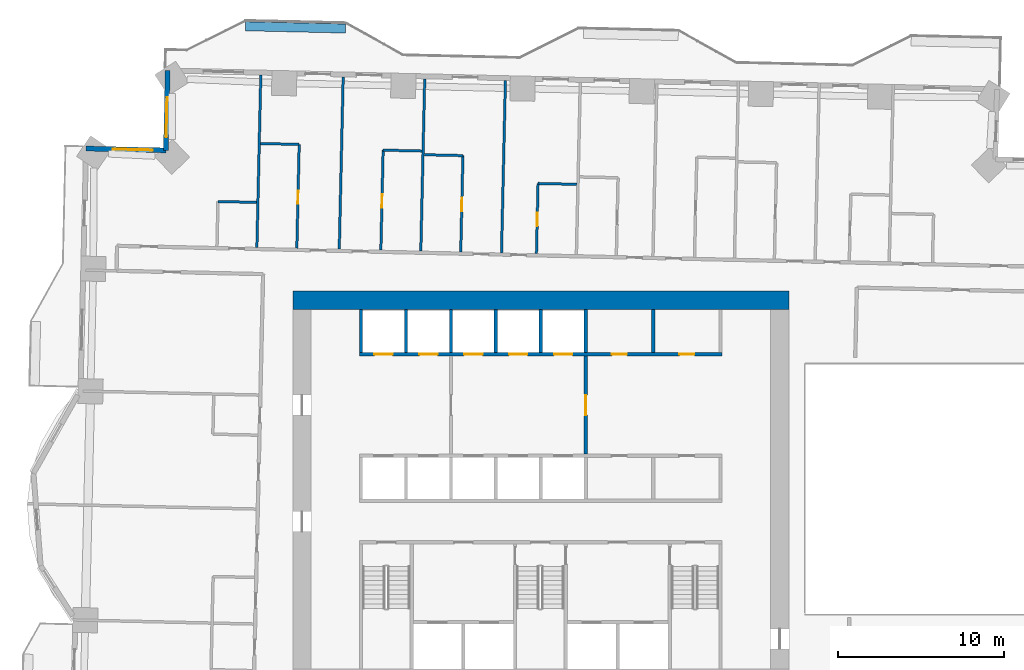
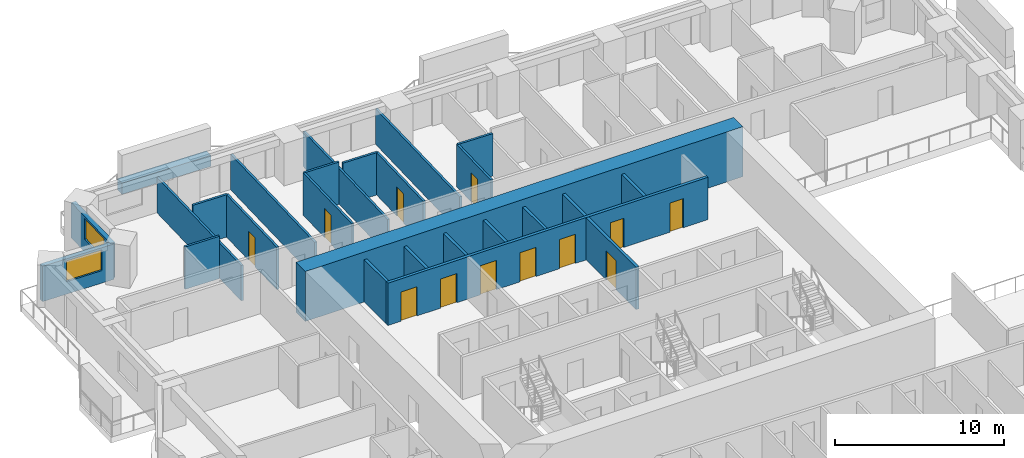
# One storey, part 11 of 18: 26 walls, 12 doors, 2 windows, 14 openings.
"""IFC4 building model written with IfcOpenShell, lengths in metres."""

from ifc_helpers import new_model, si_unit, direction, frame, frame_2d, origin, place, context, subcontext, project, spatial, rectangle, extrude, material, layer, layer_set, type_object, element, fill, save


model = new_model("IFC4")

# Units and contexts
model_context = context("Model", 3, precision=1e-05, world=origin(), true_north=direction((0.0, 1.0)))
body_context = subcontext(model_context, "Body", "Model", "MODEL_VIEW")
ifc_project = project(units=[si_unit("LENGTHUNIT", "METRE"), si_unit("AREAUNIT", "SQUARE_METRE"), si_unit("VOLUMEUNIT", "CUBIC_METRE"), si_unit("PLANEANGLEUNIT", "RADIAN"), si_unit("MASSUNIT", "GRAM", prefix="KILO")], contexts=[model_context])

# Site, building, storey
site_placement = place(None, origin())
site = spatial("IfcSite", under=ifc_project, at=site_placement, CompositionType="ELEMENT")
building_placement = place(site_placement, origin())
building = spatial("IfcBuilding", under=site, at=building_placement, Name="Mangrove Gate Tower", CompositionType="ELEMENT")
storey_placement = place(building_placement, frame((0.0, 0.0, 56.699951171875)))
storey = spatial("IfcBuildingStorey", under=building, at=storey_placement, Name="L13", CompositionType="ELEMENT", Elevation=56.699951171875)

# Wall, opening, door
ifc_material_1 = material(Name="Concrete C32/40", Category="concrete")
ifc_layer_1 = layer(ifc_material_1, 0.199951171875)
ifc_layer_set_1 = layer_set([ifc_layer_1], Name="Core lobby wall 200 C32/40")
wall_type_1 = type_object("IfcWallType", Name="Core lobby wall 200 C32/40", PredefinedType="STANDARD", material=ifc_layer_set_1)
wall_1_placement = place(storey_placement, frame((2.699951171875, 2.10009765625, 0.0), z_axis=(0.0, 0.0, 1.0), x_axis=(0.0, 1.0, 0.0)))
wall_1 = element("IfcWall", 1, at=wall_1_placement, inside=storey, type_object=wall_type_1, Name="WALL-L13-CORE-36", PredefinedType="STANDARD", context=body_context, shape_type="SweptSolid", body=[
    extrude(rectangle(XDim=5.89990234375, YDim=0.199951171875, at=frame_2d((2.949951171875, 0.0))), origin(), (0.0, 0.0, 1.0), 3.050048828125),
])
opening_1_placement = place(wall_1_placement, frame((2.35009765625, 0.0, 0.0)))
opening_1 = element("IfcOpeningElement", 2, at=opening_1_placement, cuts=wall_1, Name="Opening FL12", PredefinedType="OPENING", context=body_context, shape_type="SweptSolid", body=[
    extrude(rectangle(XDim=1.199951171875, YDim=2.10009765625, at=frame_2d((0.60009765625, 1.050048828125))), frame((0.0, 0.10986328125, 0.0), z_axis=(0.0, -1.0, 0.0), x_axis=(1.0, 0.0, 0.0)), (0.0, 0.0, 1.0), 0.219970703125),
])
ifc_material_2 = material(Name="Fire-rated steel door set", Category="steel")
door_type_1 = type_object("IfcDoorType", Name="Lobby door FD60 1200x2100", OperationType="SINGLE_SWING_LEFT", PredefinedType="DOOR", material=ifc_material_2)
door_1_placement = place(opening_1_placement, origin())
door_1 = element("IfcDoor", 3, at=door_1_placement, inside=storey, type_object=door_type_1, Name="Lobby door lift lobby partition", OperationType="SINGLE_SWING_LEFT", OverallHeight=2.10009765625, OverallWidth=1.199951171875, PredefinedType="DOOR", context=body_context, shape_type="SweptSolid", body=[
    extrude(rectangle(XDim=1.199951171875, YDim=2.10009765625, at=frame_2d((0.60009765625, 1.050048828125))), frame((0.0, 0.02490234375, 0.0), z_axis=(0.0, -1.0, 0.0), x_axis=(1.0, 0.0, 0.0)), (0.0, 0.0, 1.0), 0.050048828125),
])
fill(opening_1, door_1)

# Wall
ifc_material_3 = material(Name="Concrete C32/40", Category="concrete")
ifc_layer_2 = layer(ifc_material_3, 0.199951171875)
ifc_layer_set_2 = layer_set([ifc_layer_2], Name="Core room wall 200 C32/40")
wall_type_2 = type_object("IfcWallType", Name="Core room wall 200 C32/40", PredefinedType="STANDARD", material=ifc_layer_set_2)
wall_2_placement = place(storey_placement, frame((6.75, 8.199951171875, 0.0), z_axis=(0.0, 0.0, 1.0), x_axis=(0.0, 1.0, 0.0)))
element("IfcWall", 4, at=wall_2_placement, inside=storey, type_object=wall_type_2, Name="WALL-L13-CORE-33", PredefinedType="STANDARD", context=body_context, shape_type="SweptSolid", body=[
    extrude(rectangle(XDim=2.60009765625, YDim=0.199951171875, at=frame_2d((1.300048828125, 0.0))), origin(), (0.0, 0.0, 1.0), 3.050048828125),
])

# Wall, openings, doors
ifc_material_4 = material(Name="Concrete C70/85", Category="concrete")
ifc_layer_3 = layer(ifc_material_4, 0.199951171875)
ifc_layer_set_3 = layer_set([ifc_layer_3], Name="Core shaft wall 200 C70/85")
wall_type_3 = type_object("IfcWallType", Name="Core shaft wall 200 C70/85", PredefinedType="SHEAR", material=ifc_layer_set_3)
wall_3_placement = place(storey_placement, frame((-10.89990234375, 8.10009765625, 0.0), z_axis=(0.0, 0.0, 1.0), x_axis=(1.0, 0.0, 0.0)))
wall_3 = element("IfcWall", 5, at=wall_3_placement, inside=storey, type_object=wall_type_3, Name="WALL-L13-CORE-8", PredefinedType="SHEAR", context=body_context, shape_type="SweptSolid", body=[
    extrude(rectangle(XDim=21.7998046875, YDim=0.199951171875, at=frame_2d((10.89990234375, 0.0))), origin(), (0.0, 0.0, 1.0), 3.050048828125),
])
opening_2_placement = place(wall_3_placement, frame((0.89990234375, 0.0, 0.0)))
opening_2 = element("IfcOpeningElement", 6, at=opening_2_placement, cuts=wall_3, Name="Opening LD", PredefinedType="OPENING", context=body_context, shape_type="SweptSolid", body=[
    extrude(rectangle(XDim=1.10009765625, YDim=2.10009765625, at=frame_2d((0.550048828125, 1.050048828125))), frame((0.0, 0.10986328125, 0.0), z_axis=(0.0, -1.0, 0.0), x_axis=(1.0, 0.0, 0.0)), (0.0, 0.0, 1.0), 0.219970703125),
])
opening_3_placement = place(wall_3_placement, frame((3.60009765625, 0.0, 0.0)))
opening_3 = element("IfcOpeningElement", 7, at=opening_3_placement, cuts=wall_3, Name="Opening LD", PredefinedType="OPENING", context=body_context, shape_type="SweptSolid", body=[
    extrude(rectangle(XDim=1.10009765625, YDim=2.10009765625, at=frame_2d((0.550048828125, 1.050048828125))), frame((0.0, 0.10986328125, 0.0), z_axis=(0.0, -1.0, 0.0), x_axis=(1.0, 0.0, 0.0)), (0.0, 0.0, 1.0), 0.219970703125),
])
opening_4_placement = place(wall_3_placement, frame((6.300048828125, 0.0, 0.0)))
opening_4 = element("IfcOpeningElement", 8, at=opening_4_placement, cuts=wall_3, Name="Opening LD", PredefinedType="OPENING", context=body_context, shape_type="SweptSolid", body=[
    extrude(rectangle(XDim=1.10009765625, YDim=2.10009765625, at=frame_2d((0.550048828125, 1.050048828125))), frame((0.0, 0.10986328125, 0.0), z_axis=(0.0, -1.0, 0.0), x_axis=(1.0, 0.0, 0.0)), (0.0, 0.0, 1.0), 0.219970703125),
])
opening_5_placement = place(wall_3_placement, frame((9.0, 0.0, 0.0)))
opening_5 = element("IfcOpeningElement", 9, at=opening_5_placement, cuts=wall_3, Name="Opening LD", PredefinedType="OPENING", context=body_context, shape_type="SweptSolid", body=[
    extrude(rectangle(XDim=1.10009765625, YDim=2.10009765625, at=frame_2d((0.550048828125, 1.050048828125))), frame((0.0, 0.10986328125, 0.0), z_axis=(0.0, -1.0, 0.0), x_axis=(1.0, 0.0, 0.0)), (0.0, 0.0, 1.0), 0.219970703125),
])
opening_6_placement = place(wall_3_placement, frame((11.699951171875, 0.0, 0.0)))
opening_6 = element("IfcOpeningElement", 10, at=opening_6_placement, cuts=wall_3, Name="Opening LD", PredefinedType="OPENING", context=body_context, shape_type="SweptSolid", body=[
    extrude(rectangle(XDim=1.10009765625, YDim=2.10009765625, at=frame_2d((0.550048828125, 1.050048828125))), frame((0.0, 0.10986328125, 0.0), z_axis=(0.0, -1.0, 0.0), x_axis=(1.0, 0.0, 0.0)), (0.0, 0.0, 1.0), 0.219970703125),
])
opening_7_placement = place(wall_3_placement, frame((15.175048828125, 0.0, 0.0)))
opening_7 = element("IfcOpeningElement", 11, at=opening_7_placement, cuts=wall_3, Name="Opening RD", PredefinedType="OPENING", context=body_context, shape_type="SweptSolid", body=[
    extrude(rectangle(XDim=0.89990234375, YDim=2.10009765625, at=frame_2d((0.449951171875, 1.050048828125))), frame((0.0, 0.10986328125, 0.0), z_axis=(0.0, -1.0, 0.0), x_axis=(1.0, 0.0, 0.0)), (0.0, 0.0, 1.0), 0.219970703125),
])
opening_8_placement = place(wall_3_placement, frame((19.22509765625, 0.0, 0.0)))
opening_8 = element("IfcOpeningElement", 12, at=opening_8_placement, cuts=wall_3, Name="Opening KD", PredefinedType="OPENING", context=body_context, shape_type="SweptSolid", body=[
    extrude(rectangle(XDim=0.89990234375, YDim=2.10009765625, at=frame_2d((0.449951171875, 1.050048828125))), frame((0.0, 0.10986328125, 0.0), z_axis=(0.0, -1.0, 0.0), x_axis=(1.0, 0.0, 0.0)), (0.0, 0.0, 1.0), 0.219970703125),
])
ifc_material_5 = material(Name="Fire-rated steel door set", Category="steel")
door_type_2 = type_object("IfcDoorType", Name="Core room door FD30S 900x2100", OperationType="SINGLE_SWING_RIGHT", PredefinedType="DOOR", material=ifc_material_5)
door_2_placement = place(opening_8_placement, origin())
door_2 = element("IfcDoor", 13, at=door_2_placement, inside=storey, type_object=door_type_2, Name="Core room door Linen store", OperationType="SINGLE_SWING_RIGHT", OverallHeight=2.10009765625, OverallWidth=0.89990234375, PredefinedType="DOOR", context=body_context, shape_type="SweptSolid", body=[
    extrude(rectangle(XDim=0.89990234375, YDim=2.10009765625, at=frame_2d((0.449951171875, 1.050048828125))), frame((0.0, 0.02490234375, 0.0), z_axis=(0.0, -1.0, 0.0), x_axis=(1.0, 0.0, 0.0)), (0.0, 0.0, 1.0), 0.050048828125),
])
fill(opening_8, door_2)
ifc_material_6 = material(Name="Stainless steel 316", Category="steel")
door_type_3 = type_object("IfcDoorType", Name="Lift landing door 1100x2100", OperationType="SLIDING_TO_LEFT", PredefinedType="DOOR", material=ifc_material_6)
door_3_placement = place(opening_2_placement, origin())
door_3 = element("IfcDoor", 14, at=door_3_placement, inside=storey, type_object=door_type_3, Name="Landing door LD P06", OperationType="SLIDING_TO_LEFT", OverallHeight=2.10009765625, OverallWidth=1.10009765625, PredefinedType="DOOR", context=body_context, shape_type="SweptSolid", body=[
    extrude(rectangle(XDim=1.10009765625, YDim=2.10009765625, at=frame_2d((0.550048828125, 1.050048828125))), frame((0.0, 0.02490234375, 0.0), z_axis=(0.0, -1.0, 0.0), x_axis=(1.0, 0.0, 0.0)), (0.0, 0.0, 1.0), 0.050048828125),
])
fill(opening_2, door_3)
door_4_placement = place(opening_3_placement, origin())
door_4 = element("IfcDoor", 15, at=door_4_placement, inside=storey, type_object=door_type_3, Name="Landing door LD P07", OperationType="SLIDING_TO_LEFT", OverallHeight=2.10009765625, OverallWidth=1.10009765625, PredefinedType="DOOR", context=body_context, shape_type="SweptSolid", body=[
    extrude(rectangle(XDim=1.10009765625, YDim=2.10009765625, at=frame_2d((0.550048828125, 1.050048828125))), frame((0.0, 0.02490234375, 0.0), z_axis=(0.0, -1.0, 0.0), x_axis=(1.0, 0.0, 0.0)), (0.0, 0.0, 1.0), 0.050048828125),
])
fill(opening_3, door_4)
door_5_placement = place(opening_4_placement, origin())
door_5 = element("IfcDoor", 16, at=door_5_placement, inside=storey, type_object=door_type_3, Name="Landing door LD P08", OperationType="SLIDING_TO_LEFT", OverallHeight=2.10009765625, OverallWidth=1.10009765625, PredefinedType="DOOR", context=body_context, shape_type="SweptSolid", body=[
    extrude(rectangle(XDim=1.10009765625, YDim=2.10009765625, at=frame_2d((0.550048828125, 1.050048828125))), frame((0.0, 0.02490234375, 0.0), z_axis=(0.0, -1.0, 0.0), x_axis=(1.0, 0.0, 0.0)), (0.0, 0.0, 1.0), 0.050048828125),
])
fill(opening_4, door_5)
door_6_placement = place(opening_5_placement, origin())
door_6 = element("IfcDoor", 17, at=door_6_placement, inside=storey, type_object=door_type_3, Name="Landing door LD P09", OperationType="SLIDING_TO_LEFT", OverallHeight=2.10009765625, OverallWidth=1.10009765625, PredefinedType="DOOR", context=body_context, shape_type="SweptSolid", body=[
    extrude(rectangle(XDim=1.10009765625, YDim=2.10009765625, at=frame_2d((0.550048828125, 1.050048828125))), frame((0.0, 0.02490234375, 0.0), z_axis=(0.0, -1.0, 0.0), x_axis=(1.0, 0.0, 0.0)), (0.0, 0.0, 1.0), 0.050048828125),
])
fill(opening_5, door_6)
door_7_placement = place(opening_6_placement, origin())
door_7 = element("IfcDoor", 18, at=door_7_placement, inside=storey, type_object=door_type_3, Name="Landing door LD P10", OperationType="SLIDING_TO_LEFT", OverallHeight=2.10009765625, OverallWidth=1.10009765625, PredefinedType="DOOR", context=body_context, shape_type="SweptSolid", body=[
    extrude(rectangle(XDim=1.10009765625, YDim=2.10009765625, at=frame_2d((0.550048828125, 1.050048828125))), frame((0.0, 0.02490234375, 0.0), z_axis=(0.0, -1.0, 0.0), x_axis=(1.0, 0.0, 0.0)), (0.0, 0.0, 1.0), 0.050048828125),
])
fill(opening_6, door_7)
ifc_material_7 = material(Name="Fire-rated steel door set", Category="steel")
door_type_4 = type_object("IfcDoorType", Name="Riser door FD30S 900x2100", OperationType="SINGLE_SWING_LEFT", PredefinedType="DOOR", material=ifc_material_7)
door_8_placement = place(opening_7_placement, origin())
door_8 = element("IfcDoor", 19, at=door_8_placement, inside=storey, type_object=door_type_4, Name="Riser door Electrical room", OperationType="SINGLE_SWING_LEFT", OverallHeight=2.10009765625, OverallWidth=0.89990234375, PredefinedType="DOOR", context=body_context, shape_type="SweptSolid", body=[
    extrude(rectangle(XDim=0.89990234375, YDim=2.10009765625, at=frame_2d((0.449951171875, 1.050048828125))), frame((0.0, 0.02490234375, 0.0), z_axis=(0.0, -1.0, 0.0), x_axis=(1.0, 0.0, 0.0)), (0.0, 0.0, 1.0), 0.050048828125),
])
fill(opening_7, door_8)

# Walls
for number, where, z_axis, x_axis, name in (
    (20, (-10.800048828125, 8.199951171875, 0.0), (0.0, 0.0, 1.0), (0.0, 1.0, 0.0), "WALL-L13-CORE-27"),
    (21, (-8.10009765625, 8.199951171875, 0.0), (0.0, 0.0, 1.0), (0.0, 1.0, 0.0), "WALL-L13-CORE-28"),
    (22, (-5.39990234375, 8.199951171875, 0.0), (0.0, 0.0, 1.0), (0.0, 1.0, 0.0), "WALL-L13-CORE-29"),
    (23, (-2.699951171875, 8.199951171875, 0.0), (0.0, 0.0, 1.0), (0.0, 1.0, 0.0), "WALL-L13-CORE-30"),
    (24, (0.0, 8.199951171875, 0.0), (0.0, 0.0, 1.0), (0.0, 1.0, 0.0), "WALL-L13-CORE-31"),
    (25, (2.699951171875, 8.199951171875, 0.0), (0.0, 0.0, 1.0), (0.0, 1.0, 0.0), "WALL-L13-CORE-32"),
):
    element("IfcWall", number, at=place(storey_placement, frame(where, z_axis=z_axis, x_axis=x_axis)), inside=storey, type_object=wall_type_3, Name=name, PredefinedType="SHEAR", context=body_context, shape_type="SweptSolid", body=[
        extrude(rectangle(XDim=2.60009765625, YDim=0.199951171875, at=frame_2d((1.300048828125, 0.0))), origin(), (0.0, 0.0, 1.0), 3.050048828125),
    ])
ifc_material_8 = material(Name="Concrete C70/85", Category="concrete")
ifc_layer_4 = layer(ifc_material_8, 1.10009765625)
ifc_layer_set_4 = layer_set([ifc_layer_4], Name="Core wall 1100 C70/85")
wall_type_4 = type_object("IfcWallType", Name="Core wall 1100 C70/85", PredefinedType="SHEAR", material=ifc_layer_set_4)
wall_4_placement = place(storey_placement, frame((-14.89990234375, 11.35009765625, 0.0), z_axis=(0.0, 0.0, 1.0), x_axis=(1.0, 0.0, 0.0)))
element("IfcWall", 26, at=wall_4_placement, inside=storey, type_object=wall_type_4, Name="WALL-L13-CORE-2", PredefinedType="SHEAR", context=body_context, shape_type="SweptSolid", body=[
    extrude(rectangle(XDim=29.7998046875, YDim=1.10009765625, at=frame_2d((14.89990234375, 0.0))), origin(), (0.0, 0.0, 1.0), 3.60009765625),
])

# Wall, opening, window
ifc_material_9 = material(Name="Limestone", Category="masonry")
ifc_layer_5 = layer(ifc_material_9, 0.0400390625, Name="Limestone cladding")
ifc_material_10 = material(Name="Ventilated air gap")
ifc_layer_6 = layer(ifc_material_10, 0.0400390625, Name="Ventilated cavity")
ifc_material_11 = material(Name="Mineral wool insulation")
ifc_layer_7 = layer(ifc_material_11, 0.06005859375, Name="Insulation")
ifc_material_12 = material(Name="Breather membrane")
ifc_layer_8 = layer(ifc_material_12, 0.001953125, Name="Breather membrane")
ifc_material_13 = material(Name="Concrete C20/25 blockwork", Category="masonry")
ifc_layer_9 = layer(ifc_material_13, 0.14990234375, Name="Blockwork backing wall")
ifc_material_14 = material(Name="Gypsum plaster")
ifc_layer_10 = layer(ifc_material_14, 0.008056640625, Name="Internal plaster")
ifc_layer_set_5 = layer_set([ifc_layer_5, ifc_layer_6, ifc_layer_7, ifc_layer_8, ifc_layer_9, ifc_layer_10], Name="External wall 300 limestone cladding")
wall_type_5 = type_object("IfcWallType", Name="External wall 300 limestone cladding", PredefinedType="SOLIDWALL", material=ifc_layer_set_5)
wall_5_placement = place(storey_placement, frame((-22.416015625, 25.152099609375, 0.0), z_axis=(0.0, 0.0, 1.0), x_axis=(-0.022683280499, -0.999742701292, 0.0)))
wall_5 = element("IfcWall", 27, at=wall_5_placement, inside=storey, type_object=wall_type_5, Name="WALL-L13-W6", PredefinedType="SOLIDWALL", context=body_context, shape_type="SweptSolid", body=[
    extrude(rectangle(XDim=4.80029296875, YDim=0.300048828125, at=frame_2d((2.400146484375, 0.0))), origin(), (0.0, 0.0, 1.0), 2.550048828125),
])
opening_9_placement = place(wall_5_placement, frame((1.616943359375, 0.0, 0.89990234375)))
opening_9 = element("IfcOpeningElement", 28, at=opening_9_placement, cuts=wall_5, Name="Opening W2", PredefinedType="OPENING", context=body_context, shape_type="SweptSolid", body=[
    extrude(rectangle(XDim=2.39990234375, YDim=1.5, at=frame_2d((1.199951171875, 0.75))), frame((0.0, 0.159912109375, 0.0), z_axis=(0.0, -1.0, 0.0), x_axis=(1.0, 0.0, 0.0)), (0.0, 0.0, 1.0), 0.320068359375),
])
ifc_material_15 = material(Name="Aluminium frame with double-glazed low-e glass", Category="aluminium")
window_type = type_object("IfcWindowType", Name="Corner room window 2400x1500", PartitioningType="DOUBLE_PANEL_VERTICAL", PredefinedType="WINDOW", material=ifc_material_15)
window_1_placement = place(opening_9_placement, origin())
window_1 = element("IfcWindow", 29, at=window_1_placement, inside=storey, type_object=window_type, Name="WIN-L13-W6-1", OverallHeight=1.5, OverallWidth=2.39990234375, PartitioningType="DOUBLE_PANEL_VERTICAL", PredefinedType="WINDOW", context=body_context, shape_type="SweptSolid", body=[
    extrude(rectangle(XDim=2.39990234375, YDim=1.5, at=frame_2d((1.199951171875, 0.75))), frame((0.0, 0.030029296875, 0.0), z_axis=(0.0, -1.0, 0.0), x_axis=(1.0, 0.0, 0.0)), (0.0, 0.0, 1.0), 0.06005859375),
])
fill(opening_9, window_1)

wall_6_placement = place(storey_placement, frame((-22.52490234375, 20.35302734375, 0.0), z_axis=(0.0, 0.0, 1.0), x_axis=(-0.999742701292, 0.022683280499, 0.0)))
wall_6 = element("IfcWall", 30, at=wall_6_placement, inside=storey, type_object=wall_type_5, Name="WALL-L13-N7", PredefinedType="SOLIDWALL", context=body_context, shape_type="SweptSolid", body=[
    extrude(rectangle(XDim=4.80029296875, YDim=0.300048828125, at=frame_2d((2.400146484375, 0.0))), origin(), (0.0, 0.0, 1.0), 2.550048828125),
])
opening_10_placement = place(wall_6_placement, frame((0.781982421875, 0.0, 0.89990234375)))
opening_10 = element("IfcOpeningElement", 31, at=opening_10_placement, cuts=wall_6, Name="Opening W2", PredefinedType="OPENING", context=body_context, shape_type="SweptSolid", body=[
    extrude(rectangle(XDim=2.39990234375, YDim=1.5, at=frame_2d((1.199951171875, 0.75))), frame((0.0, 0.159912109375, 0.0), z_axis=(0.0, -1.0, 0.0), x_axis=(1.0, 0.0, 0.0)), (0.0, 0.0, 1.0), 0.320068359375),
])
window_2_placement = place(opening_10_placement, origin())
window_2 = element("IfcWindow", 32, at=window_2_placement, inside=storey, type_object=window_type, Name="WIN-L13-N7-1", OverallHeight=1.5, OverallWidth=2.39990234375, PartitioningType="DOUBLE_PANEL_VERTICAL", PredefinedType="WINDOW", context=body_context, shape_type="SweptSolid", body=[
    extrude(rectangle(XDim=2.39990234375, YDim=1.5, at=frame_2d((1.199951171875, 0.75))), frame((0.0, 0.030029296875, 0.0), z_axis=(0.0, -1.0, 0.0), x_axis=(1.0, 0.0, 0.0)), (0.0, 0.0, 1.0), 0.06005859375),
])
fill(opening_10, window_2)

# Wall
ifc_material_16 = material(Name="Gypsum board on steel stud, EI 60", Category="steel")
ifc_layer_11 = layer(ifc_material_16, 0.14990234375)
ifc_layer_set_6 = layer_set([ifc_layer_11], Name="Party wall 150 EI 60")
wall_type_6 = type_object("IfcWallType", Name="Party wall 150 EI 60", PredefinedType="PARTITIONING", material=ifc_layer_set_6)
wall_7_placement = place(storey_placement, frame((-17.05810546875, 14.527099609375, 0.0), z_axis=(0.0, 0.0, 1.0), x_axis=(0.022714440015, 0.999741993824, 0.0)))
element("IfcWall", 33, at=wall_7_placement, inside=storey, type_object=wall_type_6, Name="WALL-L13-059", PredefinedType="PARTITIONING", context=body_context, shape_type="SweptSolid", body=[
    extrude(rectangle(XDim=10.3505859375, YDim=0.14990234375, at=frame_2d((5.17529296875, 0.0))), origin(), (0.0, 0.0, 1.0), 2.550048828125),
])

# Wall, opening, door
wall_8_placement = place(storey_placement, frame((-14.657958984375, 14.472900390625, 0.0), z_axis=(0.0, 0.0, 1.0), x_axis=(0.022576530581, 0.999745117651, 0.0)))
wall_8 = element("IfcWall", 34, at=wall_8_placement, inside=storey, type_object=wall_type_6, Name="WALL-L13-060", PredefinedType="PARTITIONING", context=body_context, shape_type="SweptSolid", body=[
    extrude(rectangle(XDim=6.23974609375, YDim=0.14990234375, at=frame_2d((3.119873046875, 0.0))), origin(), (0.0, 0.0, 1.0), 3.050048828125),
])
opening_11_placement = place(wall_8_placement, frame((2.669921875, 0.0, 0.0)))
opening_11 = element("IfcOpeningElement", 35, at=opening_11_placement, cuts=wall_8, Name="Opening ED", PredefinedType="OPENING", context=body_context, shape_type="SweptSolid", body=[
    extrude(rectangle(XDim=0.800048828125, YDim=2.10009765625, at=frame_2d((0.39990234375, 1.050048828125))), frame((0.0, 0.0849609375, 0.0), z_axis=(0.0, -1.0, 0.0), x_axis=(1.0, 0.0, 0.0)), (0.0, 0.0, 1.0), 0.169921875),
])
ifc_material_17 = material(Name="Timber door leaf", Category="wood")
door_type_5 = type_object("IfcDoorType", Name="En-suite door 800", OperationType="SINGLE_SWING_LEFT", PredefinedType="DOOR", material=ifc_material_17)
door_9_placement = place(opening_11_placement, origin())
door_9 = element("IfcDoor", 36, at=door_9_placement, inside=storey, type_object=door_type_5, Name="DOOR-L13-ENS-c517", OperationType="SINGLE_SWING_LEFT", OverallHeight=2.10009765625, OverallWidth=0.800048828125, PredefinedType="DOOR", context=body_context, shape_type="SweptSolid", body=[
    extrude(rectangle(XDim=0.800048828125, YDim=2.10009765625, at=frame_2d((0.39990234375, 1.050048828125))), frame((0.0, 0.02490234375, 0.0), z_axis=(0.0, -1.0, 0.0), x_axis=(1.0, 0.0, 0.0)), (0.0, 0.0, 1.0), 0.050048828125),
])
fill(opening_11, door_9)

# Wall
wall_9_placement = place(storey_placement, frame((-12.10888671875, 14.4150390625, 0.0), z_axis=(0.0, 0.0, 1.0), x_axis=(0.022690865001, 0.999742529177, 0.0)))
element("IfcWall", 37, at=wall_9_placement, inside=storey, type_object=wall_type_6, Name="WALL-L13-061", PredefinedType="PARTITIONING", context=body_context, shape_type="SweptSolid", body=[
    extrude(rectangle(XDim=10.3505859375, YDim=0.14990234375, at=frame_2d((5.17529296875, 0.0))), origin(), (0.0, 0.0, 1.0), 2.550048828125),
])

# Wall, opening, door
wall_10_placement = place(storey_placement, frame((-9.610107421875, 14.35791015625, 0.0), z_axis=(0.0, 0.0, 1.0), x_axis=(0.022827512011, 0.999739418396, 0.0)))
wall_10 = element("IfcWall", 38, at=wall_10_placement, inside=storey, type_object=wall_type_6, Name="WALL-L13-062", PredefinedType="PARTITIONING", context=body_context, shape_type="SweptSolid", body=[
    extrude(rectangle(XDim=6.010498046875, YDim=0.14990234375, at=frame_2d((3.00537109375, 0.0))), origin(), (0.0, 0.0, 1.0), 3.050048828125),
])
opening_12_placement = place(wall_10_placement, frame((2.554931640625, 0.0, 0.0)))
opening_12 = element("IfcOpeningElement", 39, at=opening_12_placement, cuts=wall_10, Name="Opening ED", PredefinedType="OPENING", context=body_context, shape_type="SweptSolid", body=[
    extrude(rectangle(XDim=0.800048828125, YDim=2.10009765625, at=frame_2d((0.39990234375, 1.050048828125))), frame((0.0, 0.0849609375, 0.0), z_axis=(0.0, -1.0, 0.0), x_axis=(1.0, 0.0, 0.0)), (0.0, 0.0, 1.0), 0.169921875),
])
door_10_placement = place(opening_12_placement, origin())
door_10 = element("IfcDoor", 40, at=door_10_placement, inside=storey, type_object=door_type_5, Name="DOOR-L13-ENS-c516", OperationType="SINGLE_SWING_RIGHT", OverallHeight=2.10009765625, OverallWidth=0.800048828125, PredefinedType="DOOR", context=body_context, shape_type="SweptSolid", body=[
    extrude(rectangle(XDim=0.800048828125, YDim=2.10009765625, at=frame_2d((0.39990234375, 1.050048828125))), frame((0.0, 0.02490234375, 0.0), z_axis=(0.0, -1.0, 0.0), x_axis=(1.0, 0.0, 0.0)), (0.0, 0.0, 1.0), 0.050048828125),
])
fill(opening_12, door_10)

# Wall
wall_11_placement = place(storey_placement, frame((-7.2099609375, 14.303955078125, 0.0), z_axis=(0.0, 0.0, 1.0), x_axis=(0.022693005506, 0.999742480592, 0.0)))
element("IfcWall", 41, at=wall_11_placement, inside=storey, type_object=wall_type_6, Name="WALL-L13-063", PredefinedType="PARTITIONING", context=body_context, shape_type="SweptSolid", body=[
    extrude(rectangle(XDim=10.349609375, YDim=0.14990234375, at=frame_2d((5.1748046875, 0.0))), origin(), (0.0, 0.0, 1.0), 2.550048828125),
])

# Wall, opening, door
wall_12_placement = place(storey_placement, frame((-4.81103515625, 14.25, 0.0), z_axis=(0.0, 0.0, 1.0), x_axis=(0.022644773889, 0.999743574231, 0.0)))
wall_12 = element("IfcWall", 42, at=wall_12_placement, inside=storey, type_object=wall_type_6, Name="WALL-L13-064", PredefinedType="PARTITIONING", context=body_context, shape_type="SweptSolid", body=[
    extrude(rectangle(XDim=5.78955078125, YDim=0.14990234375, at=frame_2d((2.894775390625, 0.0))), origin(), (0.0, 0.0, 1.0), 3.050048828125),
])
opening_13_placement = place(wall_12_placement, frame((2.445068359375, 0.0, 0.0)))
opening_13 = element("IfcOpeningElement", 43, at=opening_13_placement, cuts=wall_12, Name="Opening ED", PredefinedType="OPENING", context=body_context, shape_type="SweptSolid", body=[
    extrude(rectangle(XDim=0.800048828125, YDim=2.10009765625, at=frame_2d((0.39990234375, 1.050048828125))), frame((0.0, 0.0849609375, 0.0), z_axis=(0.0, -1.0, 0.0), x_axis=(1.0, 0.0, 0.0)), (0.0, 0.0, 1.0), 0.169921875),
])
door_11_placement = place(opening_13_placement, origin())
door_11 = element("IfcDoor", 44, at=door_11_placement, inside=storey, type_object=door_type_5, Name="DOOR-L13-ENS-c515", OperationType="SINGLE_SWING_LEFT", OverallHeight=2.10009765625, OverallWidth=0.800048828125, PredefinedType="DOOR", context=body_context, shape_type="SweptSolid", body=[
    extrude(rectangle(XDim=0.800048828125, YDim=2.10009765625, at=frame_2d((0.39990234375, 1.050048828125))), frame((0.0, 0.02490234375, 0.0), z_axis=(0.0, -1.0, 0.0), x_axis=(1.0, 0.0, 0.0)), (0.0, 0.0, 1.0), 0.050048828125),
])
fill(opening_13, door_11)

# Wall
wall_13_placement = place(storey_placement, frame((-2.362060546875, 14.194091796875, 0.0), z_axis=(0.0, 0.0, 1.0), x_axis=(0.022716582742, 0.999741945138, 0.0)))
element("IfcWall", 45, at=wall_13_placement, inside=storey, type_object=wall_type_6, Name="WALL-L13-065", PredefinedType="PARTITIONING", context=body_context, shape_type="SweptSolid", body=[
    extrude(rectangle(XDim=10.349609375, YDim=0.14990234375, at=frame_2d((5.1748046875, 0.0))), origin(), (0.0, 0.0, 1.0), 2.550048828125),
])

# Wall, opening, door
wall_14_placement = place(storey_placement, frame((-0.261962890625, 14.14599609375, 0.0), z_axis=(0.0, 0.0, 1.0), x_axis=(0.0227358609, 0.999741506905, 0.0)))
wall_14 = element("IfcWall", 46, at=wall_14_placement, inside=storey, type_object=wall_type_6, Name="WALL-L13-066", PredefinedType="PARTITIONING", context=body_context, shape_type="SweptSolid", body=[
    extrude(rectangle(XDim=4.219970703125, YDim=0.14990234375, at=frame_2d((2.10986328125, 0.0))), origin(), (0.0, 0.0, 1.0), 3.050048828125),
])
opening_14_placement = place(wall_14_placement, frame((1.659912109375, 0.0, 0.0)))
opening_14 = element("IfcOpeningElement", 47, at=opening_14_placement, cuts=wall_14, Name="Opening ED", PredefinedType="OPENING", context=body_context, shape_type="SweptSolid", body=[
    extrude(rectangle(XDim=0.800048828125, YDim=2.10009765625, at=frame_2d((0.39990234375, 1.050048828125))), frame((0.0, 0.0849609375, 0.0), z_axis=(0.0, -1.0, 0.0), x_axis=(1.0, 0.0, 0.0)), (0.0, 0.0, 1.0), 0.169921875),
])
door_12_placement = place(opening_14_placement, origin())
door_12 = element("IfcDoor", 48, at=door_12_placement, inside=storey, type_object=door_type_5, Name="DOOR-L13-ENS-c414", OperationType="SINGLE_SWING_RIGHT", OverallHeight=2.10009765625, OverallWidth=0.800048828125, PredefinedType="DOOR", context=body_context, shape_type="SweptSolid", body=[
    extrude(rectangle(XDim=0.800048828125, YDim=2.10009765625, at=frame_2d((0.39990234375, 1.050048828125))), frame((0.0, 0.02490234375, 0.0), z_axis=(0.0, -1.0, 0.0), x_axis=(1.0, 0.0, 0.0)), (0.0, 0.0, 1.0), 0.050048828125),
])
fill(opening_14, door_12)

# Walls
for number, where, z_axis, x_axis, name in (
    (49, (-19.39404296875, 17.281005859375, 0.0), (0.0, 0.0, 1.0), (0.999740260747, -0.02279059109, 0.0), "WALL-L13-077"),
    (50, (-0.1640625, 18.364990234375, 0.0), (0.0, 0.0, 1.0), (0.999740260747, -0.02279059109, 0.0), "WALL-L13-080"),
    (51, (-7.001953125, 20.091064453125, 0.0), (0.0, 0.0, 1.0), (0.999740260747, -0.02279059109, 0.0), "WALL-L13-082"),
    (52, (-9.470947265625, 20.366943359375, 0.0), (0.0, 0.0, 1.0), (0.999740260747, -0.02279059109, 0.0), "WALL-L13-084"),
):
    element("IfcWall", number, at=place(storey_placement, frame(where, z_axis=z_axis, x_axis=x_axis)), inside=storey, type_object=wall_type_6, Name=name, PredefinedType="PARTITIONING", context=body_context, shape_type="SweptSolid", body=[
        extrude(rectangle(XDim=2.324462890625, YDim=0.14990234375, at=frame_2d((1.162109375, 0.0))), origin(), (0.0, 0.0, 1.0), 3.050048828125),
    ])
wall_15_placement = place(storey_placement, frame((-16.839111328125, 20.763916015625, 0.0), z_axis=(0.0, 0.0, 1.0), x_axis=(0.99974031529, -0.022788198363, 0.0)))
element("IfcWall", 53, at=wall_15_placement, inside=storey, type_object=wall_type_6, Name="WALL-L13-086", PredefinedType="PARTITIONING", context=body_context, shape_type="SweptSolid", body=[
    extrude(rectangle(XDim=2.32470703125, YDim=0.14990234375, at=frame_2d((1.162353515625, 0.0))), origin(), (0.0, 0.0, 1.0), 3.050048828125),
])
ifc_material_18 = material(Name="Concrete C32/40", Category="concrete")
ifc_layer_12 = layer(ifc_material_18, 0.199951171875, Name="Planter trough wall")
ifc_material_19 = material(Name="Bituminous waterproofing membrane")
ifc_layer_13 = layer(ifc_material_19, 0.0048828125, Name="Waterproofing")
ifc_material_20 = material(Name="Drainage board and gravel")
ifc_layer_14 = layer(ifc_material_20, 0.044921875, Name="Drainage layer")
ifc_material_21 = material(Name="Planting soil")
ifc_layer_15 = layer(ifc_material_21, 0.300048828125, Name="Growing medium")
ifc_layer_set_7 = layer_set([ifc_layer_12, ifc_layer_13, ifc_layer_14, ifc_layer_15], Name="Planter wall 550 C32/40")
wall_type_7 = type_object("IfcWallType", Name="Planter wall 550 C32/40", PredefinedType="USERDEFINED", material=ifc_layer_set_7)
wall_16_placement = place(storey_placement, frame((-17.736083984375, 27.81103515625, 0.0), z_axis=(0.0, 0.0, 1.0), x_axis=(0.999743094499, -0.022665943652, 0.0)))
element("IfcWall", 54, at=wall_16_placement, inside=storey, type_object=wall_type_7, Name="PLANTER L13 N1.1", ObjectType="PLANTER", PredefinedType="USERDEFINED", context=body_context, shape_type="SweptSolid", body=[
    extrude(rectangle(XDim=5.99951171875, YDim=0.550048828125, at=frame_2d((2.999755859375, 0.0))), origin(), (0.0, 0.0, 1.0), 0.800048828125),
])

save(model, "model.ifc")
